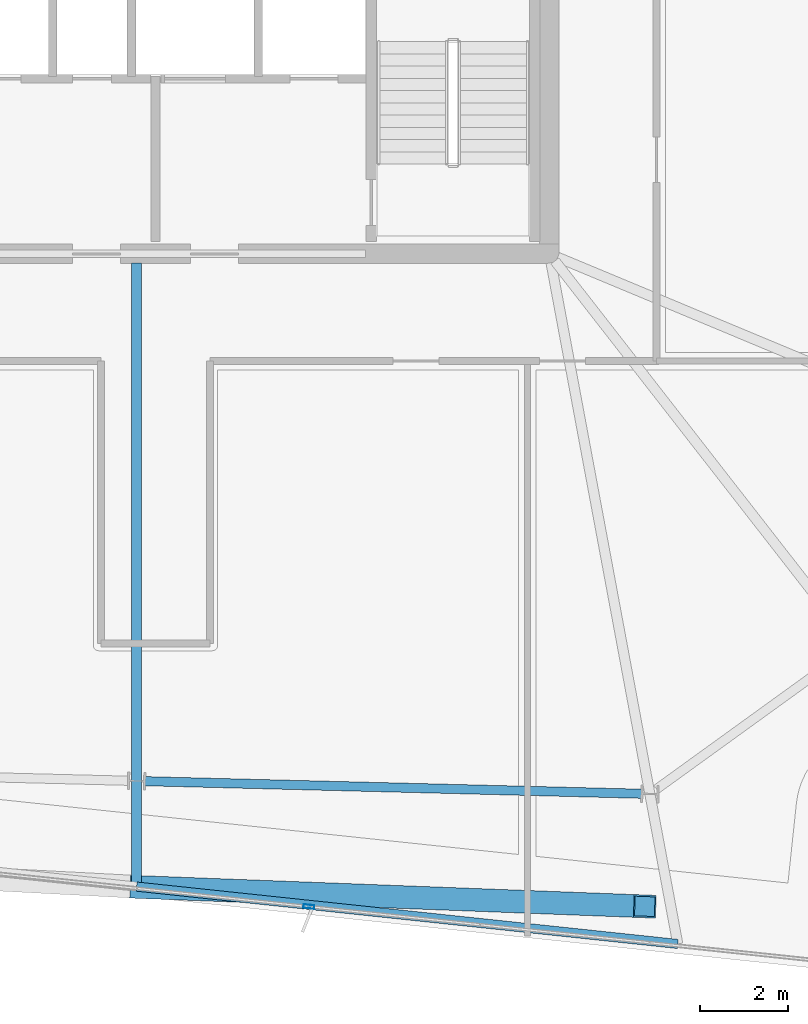
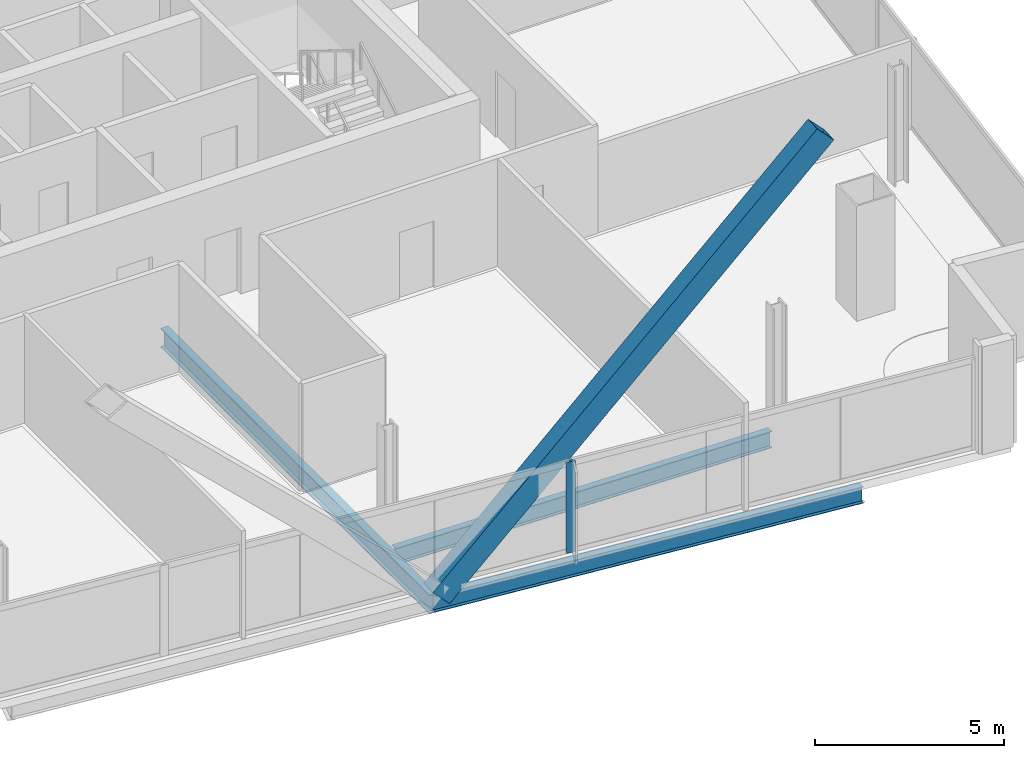
# One storey, part 4 of 24: 3 beams, 2 members, 1 element without a shape of its own.
"""IFC4 building model written with IfcOpenShell, lengths in metres."""

from ifc_helpers import new_model, si_unit, direction, frame, origin, origin_2d, place, context, subcontext, project, spatial, hollow_rectangle, i_section, extrude, material, material_profile, profile_set, type_object, element, aggregate, save


model = new_model("IFC4")

# Units and contexts
model_context = context("Model", 3, precision=1e-05, world=origin(), true_north=direction((0.0, 1.0)))
body_context = subcontext(model_context, "Body", "Model", "MODEL_VIEW")
ifc_project = project(units=[si_unit("LENGTHUNIT", "METRE"), si_unit("AREAUNIT", "SQUARE_METRE"), si_unit("VOLUMEUNIT", "CUBIC_METRE"), si_unit("PLANEANGLEUNIT", "RADIAN"), si_unit("MASSUNIT", "GRAM", prefix="KILO")], contexts=[model_context])

# Site, building, storey
site_placement = place(None, origin())
site = spatial("IfcSite", under=ifc_project, at=site_placement, CompositionType="ELEMENT")
building_placement = place(site_placement, origin())
building = spatial("IfcBuilding", under=site, at=building_placement, Name="Haldenkirk Collegiate Tower", CompositionType="ELEMENT")
storey_placement = place(building_placement, frame((0.0, 0.0, 310.199951171875)))
storey = spatial("IfcBuildingStorey", under=building, at=storey_placement, Name="L78", CompositionType="ELEMENT", Elevation=310.199951171875)

# Beams
ifc_material_1 = material(Name="Steel ASTM A992 Grade 50", Category="steel")
ifc_material_profile_1 = material_profile(ifc_material_1, i_section(OverallWidth=0.22998046875, OverallDepth=0.616943359375, WebThickness=0.01318359375, FlangeThickness=0.022216796875, at=origin_2d()), Name="W24X94")
ifc_profile_set_1 = profile_set([ifc_material_profile_1], Name="Steel ASTM A992 Grade 50")
beam_type_1 = type_object("IfcBeamType", Name="BM-GIRDER-W24X94", PredefinedType="BEAM", material=ifc_profile_set_1)
beam_1_placement = place(storey_placement, frame((35.567626953125, 3.54052734375, -0.568359375), z_axis=(0.0, 1.0, 0.0), x_axis=(-1.0, 0.0, 0.0)))
element("IfcBeam", 1, at=beam_1_placement, inside=storey, type_object=beam_type_1, Name="L78 primary floor girder 15", PredefinedType="BEAM", context=body_context, shape_type="SweptSolid", body=[
    extrude(i_section(OverallWidth=0.22998046875, OverallDepth=0.616943359375, WebThickness=0.01318359375, FlangeThickness=0.022216796875, at=origin_2d()), origin(), (0.0, 0.0, 1.0), 14.25439453125),
])
ifc_material_profile_2 = material_profile(ifc_material_1, i_section(OverallWidth=0.2099609375, OverallDepth=0.537109375, WebThickness=0.010986328125, FlangeThickness=0.017333984375, at=origin_2d()), Name="W21X68")
ifc_profile_set_2 = profile_set([ifc_material_profile_2], Name="Steel ASTM A992 Grade 50")
beam_type_2 = type_object("IfcBeamType", Name="BM-SPANDREL-W21X68", PredefinedType="SPANDREL", material=ifc_profile_set_2)
beam_2_placement = place(storey_placement, frame((35.755615234375, 5.94970703125, -0.528564453125), z_axis=(0.999679850822, -0.025302092003, 0.0), x_axis=(0.025302092003, 0.999679850822, 0.0)))
element("IfcBeam", 2, at=beam_2_placement, inside=storey, type_object=beam_type_2, Name="L78 perimeter spandrel beam 15", PredefinedType="SPANDREL", context=body_context, shape_type="SweptSolid", body=[
    extrude(i_section(OverallWidth=0.2099609375, OverallDepth=0.537109375, WebThickness=0.010986328125, FlangeThickness=0.017333984375, at=origin_2d()), origin(), (0.0, 0.0, 1.0), 11.35693359375),
])
beam_3_placement = place(storey_placement, frame((35.567626953125, 3.54052734375, -0.528564453125), z_axis=(0.994430006823, -0.105399058485, 0.0), x_axis=(0.105399058485, 0.994430006823, 0.0)))
element("IfcBeam", 3, at=beam_3_placement, inside=storey, type_object=beam_type_2, Name="L78 outer facade edge beam 4B", PredefinedType="SPANDREL", context=body_context, shape_type="SweptSolid", body=[
    extrude(i_section(OverallWidth=0.2099609375, OverallDepth=0.537109375, WebThickness=0.010986328125, FlangeThickness=0.017333984375, at=origin_2d()), origin(), (0.0, 0.0, 1.0), 12.4365234375),
])

# Curtain wall, member
ifc_material_2 = material(Name="Anodised architectural bronze aluminium", Category="aluminium")
curtain_wall_type = type_object("IfcCurtainWallType", Name="CW-SYS1B-CONVEX-HI", PredefinedType="USERDEFINED", material=ifc_material_2)
curtain_wall_placement = place(storey_placement, origin())
curtain_wall = element("IfcCurtainWall", 4, at=curtain_wall_placement, inside=storey, type_object=curtain_wall_type, Name="L78 Upper tower high-wind convex bronze unitised curtain wall", ObjectType="UNITISED CURTAIN WALL", PredefinedType="USERDEFINED")
ifc_material_profile_3 = material_profile(ifc_material_2, hollow_rectangle(XDim=0.0849609375, YDim=0.25, WallThickness=0.0048828125, at=origin_2d()), Name="CW-MUL-1B")
ifc_profile_set_3 = profile_set([ifc_material_profile_3], Name="Anodised architectural bronze aluminium")
member_type_1 = type_object("IfcMemberType", Name="CW-MUL-1B", PredefinedType="MULLION", material=ifc_profile_set_3)
member_1_placement = place(storey_placement, frame((39.504150390625, 3.0830078125, 0.0), z_axis=(0.0, 0.0, 1.0), x_axis=(-0.10539279234, -0.994430670948, 0.0)))
member_1 = element("IfcMember", 5, at=member_1_placement, type_object=member_type_1, Name="CW-1B mullion 2", PredefinedType="MULLION", context=body_context, shape_type="SweptSolid", body=[
    extrude(hollow_rectangle(XDim=0.0849609375, YDim=0.25, WallThickness=0.0048828125, at=origin_2d()), origin(), (0.0, 0.0, 1.0), 2.947998046875),
])
aggregate(curtain_wall, [member_1])

# Member
ifc_material_3 = material(Name="Steel ASTM A572 Grade 50", Category="steel")
ifc_material_profile_4 = material_profile(ifc_material_3, hollow_rectangle(XDim=0.52001953125, YDim=0.719970703125, WallThickness=0.035888671875, at=origin_2d()), Name="BOX720X520X36")
ifc_profile_set_4 = profile_set([ifc_material_profile_4], Name="Steel ASTM A572 Grade 50")
member_type_2 = type_object("IfcMemberType", Name="MBR-MEGABRACE-BOX720X520X36", PredefinedType="BRACE", material=ifc_profile_set_4)
member_2_placement = place(storey_placement, frame((35.671630859375, 3.529296875, -0.27001953125), z_axis=(0.714833702263, -0.027340796885, 0.6987598006), x_axis=(0.038219827067, 0.999269355489, 0.0)))
element("IfcMember", 6, at=member_2_placement, inside=storey, type_object=member_type_2, Name="Perimeter Mega Brace Z6 L78-L80 WR", PredefinedType="BRACE", context=body_context, shape_type="SweptSolid", body=[
    extrude(hollow_rectangle(XDim=0.52001953125, YDim=0.719970703125, WallThickness=0.035888671875, at=origin_2d()), origin(), (0.0, 0.0, 1.0), 16.099853515625),
])

save(model, "model.ifc")
